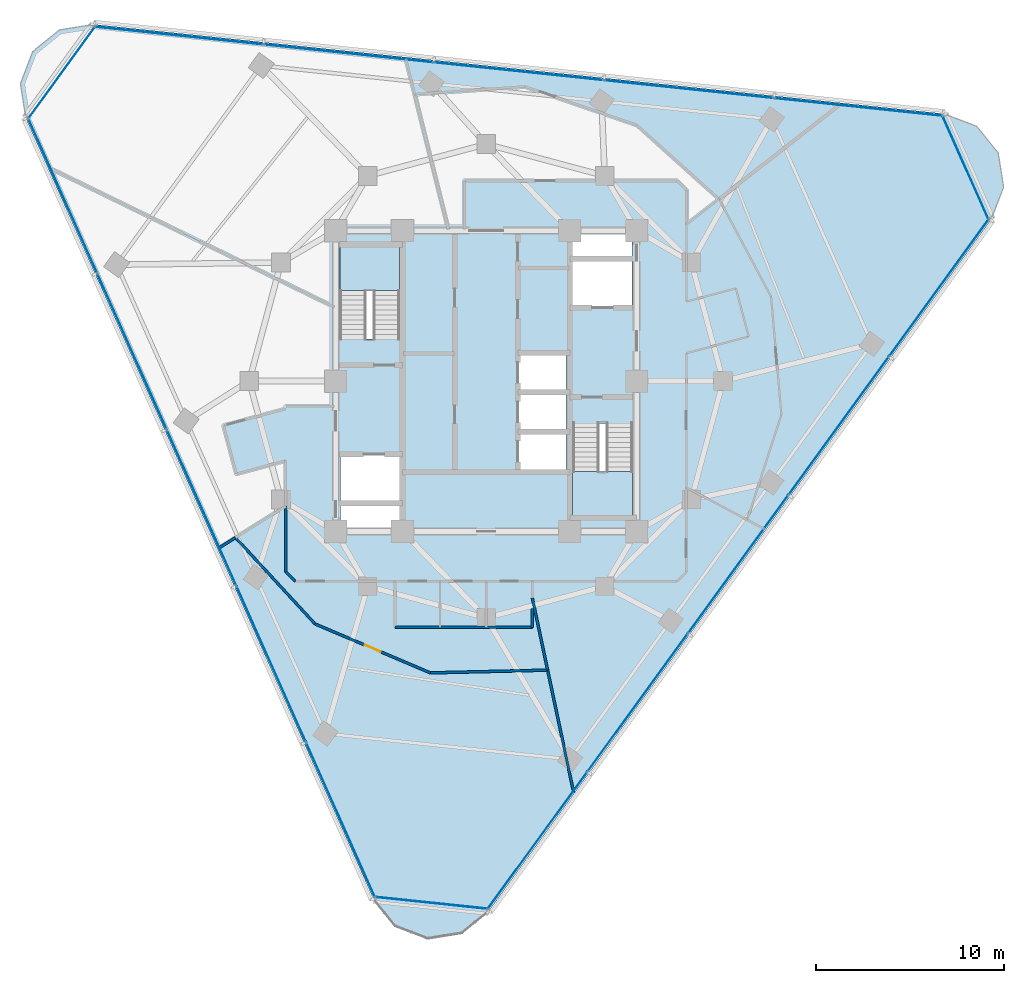
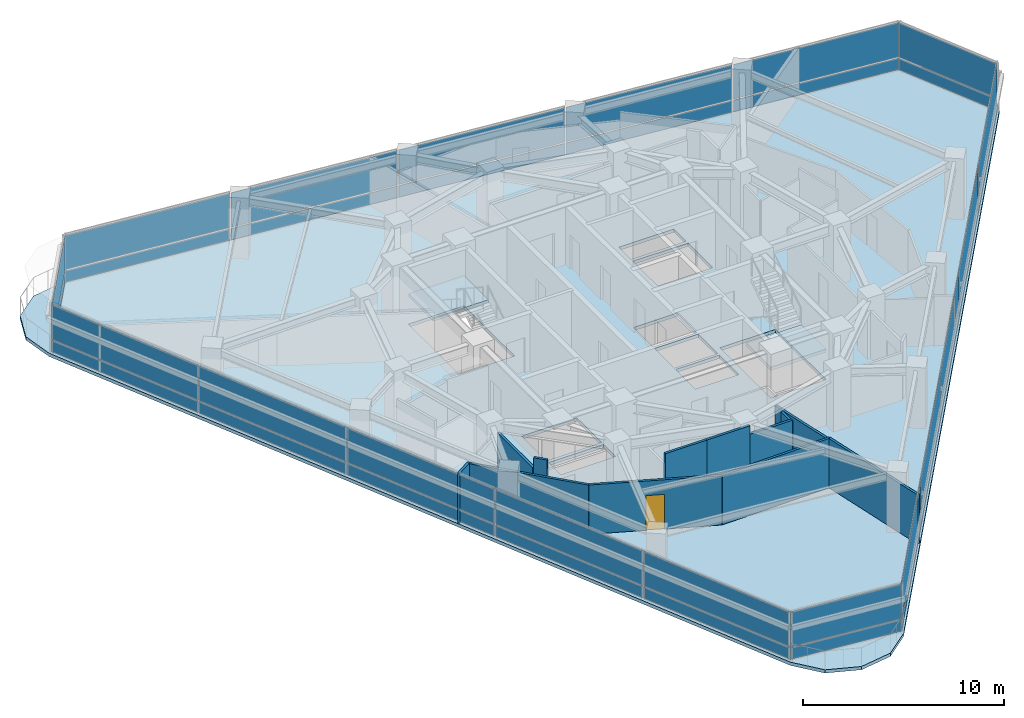
# One storey, part 7 of 14: 36 plates, 12 walls, 3 slabs, 1 door, 1 opening, 8 elements without a shape of their own.
"""IFC4 building model written with IfcOpenShell, lengths in metres."""

from ifc_helpers import new_model, si_unit, direction, frame, frame_2d, origin, origin_2d, place, context, subcontext, project, spatial, polyline, rectangle, outline, extrude, material, layer, layer_set, type_object, element, fill, aggregate, save


model = new_model("IFC4")

# Units and contexts
model_context = context("Model", 3, precision=1e-05, world=origin(), true_north=direction((0.0, 1.0)))
body_context = subcontext(model_context, "Body", "Model", "MODEL_VIEW")
ifc_project = project(units=[si_unit("LENGTHUNIT", "METRE"), si_unit("AREAUNIT", "SQUARE_METRE"), si_unit("VOLUMEUNIT", "CUBIC_METRE"), si_unit("PLANEANGLEUNIT", "RADIAN"), si_unit("MASSUNIT", "GRAM", prefix="KILO")], contexts=[model_context])

# Site, building, storey
site_placement = place(None, origin())
site = spatial("IfcSite", under=ifc_project, at=site_placement, CompositionType="ELEMENT")
building_placement = place(site_placement, origin())
building = spatial("IfcBuilding", under=site, at=building_placement, Name="Terralouvre Media Tower", CompositionType="ELEMENT")
storey_placement = place(building_placement, frame((0.0, 0.0, 218.89990234375)))
storey = spatial("IfcBuildingStorey", under=building, at=storey_placement, Name="L56", CompositionType="ELEMENT", Elevation=218.89990234375)

# Slab
ifc_material_1 = material(Name="Concrete C40/50", Category="concrete")
ifc_layer_1 = layer(ifc_material_1, 0.199951171875, Name="Composite Tower Floor Slab S-TYP200")
ifc_layer_set_1 = layer_set([ifc_layer_1], Name="Concrete C40/50")
slab_type_1 = type_object("IfcSlabType", Name="Composite Tower Floor Slab S-TYP200", PredefinedType="FLOOR", material=ifc_layer_set_1)
slab_1_placement = place(storey_placement, frame((0.0, 0.0, -0.199951171875), z_axis=(0.0, 0.0, 1.0), x_axis=(0.587785252292, 0.809016994375, 0.0)))
element("IfcSlab", 1, at=slab_1_placement, inside=storey, type_object=slab_type_1, Name="L56 Structural Floor Slab", PredefinedType="FLOOR", context=body_context, shape_type="SweptSolid", body=[
    extrude(outline(polyline([(-25.824462890625, -11.359619140625), (-26.300048828125, -13.134765625), (-25.824462890625, -14.90966796875), (-24.52490234375, -16.209228515625), (-22.75, -16.684814453125), (22.75, -16.684814453125), (24.52490234375, -16.209228515625), (25.824462890625, -14.90966796875), (26.300048828125, -13.134765625), (25.824462890625, -11.359619140625), (3.074462890625, 28.04443359375), (1.77490234375, 29.34375), (0.0, 29.8193359375), (-1.77490234375, 29.34375), (-3.074462890625, 28.04443359375), (-25.824462890625, -11.359619140625)]), holes=[polyline([(-8.043212890625, -0.157958984375), (-9.01416015625, -0.86328125), (-10.86572265625, 1.68505859375), (-9.894775390625, 2.390380859375), (-8.043212890625, -0.157958984375)]), polyline([(-5.8994140625, 1.399658203125), (-7.881591796875, -0.040283203125), (-9.733154296875, 2.508056640625), (-7.7509765625, 3.9482421875), (-5.8994140625, 1.399658203125)]), polyline([(-3.169677734375, -7.98876953125), (0.887451171875, -5.041015625), (2.7568359375, -7.61376953125), (-1.300537109375, -10.5615234375), (-3.169677734375, -7.98876953125)]), polyline([(0.2490234375, -5.072265625), (-1.320556640625, -6.212646484375), (-2.7900390625, -4.190185546875), (-1.220458984375, -3.0498046875), (0.2490234375, -5.072265625)]), polyline([(1.947998046875, -3.838134765625), (0.37841796875, -4.978271484375), (-1.091064453125, -2.955810546875), (0.478515625, -1.8154296875), (1.947998046875, -3.838134765625)]), polyline([(3.64697265625, -2.603759765625), (2.077392578125, -3.743896484375), (0.60791015625, -1.721435546875), (2.177490234375, -0.5810546875), (3.64697265625, -2.603759765625)]), polyline([(3.169677734375, 7.98876953125), (-0.887451171875, 5.041015625), (-2.7568359375, 7.61376953125), (1.300537109375, 10.5615234375), (3.169677734375, 7.98876953125)]), polyline([(7.7509765625, -3.9482421875), (5.8994140625, -1.399658203125), (7.881591796875, 0.040283203125), (9.733154296875, -2.508056640625), (7.7509765625, -3.9482421875)]), polyline([(9.894775390625, -2.390380859375), (8.043212890625, 0.157958984375), (9.01416015625, 0.86328125), (10.86572265625, -1.68505859375), (9.894775390625, -2.390380859375)])]), origin(), (0.0, 0.0, 1.0), 0.199951171875),
])

# Stair, slab
ifc_material_2 = material(Name="Concrete C45/55", Category="concrete")
stair_type_1 = type_object("IfcStairType", Name="Dogleg Stair Assembly ST-01", PredefinedType="HALF_TURN_STAIR", material=ifc_material_2)
stair_1_placement = place(storey_placement, origin())
stair_1 = element("IfcStair", 2, at=stair_1_placement, inside=storey, type_object=stair_type_1, Name="L56 Core Pressurised Exit Stair ST-01", PredefinedType="HALF_TURN_STAIR")
ifc_material_3 = material(Name="Concrete C45/55", Category="concrete")
ifc_layer_2 = layer(ifc_material_3, 0.199951171875, Name="Reinforced Concrete Stair Half-Landing SL-LD1")
ifc_layer_set_2 = layer_set([ifc_layer_2], Name="Concrete C45/55")
slab_type_2 = type_object("IfcSlabType", Name="Reinforced Concrete Stair Half-Landing SL-LD1", PredefinedType="LANDING", material=ifc_layer_set_2)
slab_2_placement = place(storey_placement, frame((0.0, 0.0, 1.650146484375)))
slab_2 = element("IfcSlab", 3, at=slab_2_placement, type_object=slab_type_2, Name="ST-01 landing 1", PredefinedType="LANDING", context=body_context, shape_type="SweptSolid", body=[
    extrude(outline(polyline([(-4.60009765625, 4.820068359375), (-4.60009765625, 7.260009765625), (-7.780029296875, 7.260009765625), (-7.780029296875, 4.820068359375), (-4.60009765625, 4.820068359375)])), origin(), (0.0, 0.0, 1.0), 0.199951171875),
])
aggregate(stair_1, [slab_2])

ifc_material_4 = material(Name="Concrete C45/55", Category="concrete")
stair_type_2 = type_object("IfcStairType", Name="Dogleg Stair Assembly ST-02", PredefinedType="HALF_TURN_STAIR", material=ifc_material_4)
stair_2_placement = place(storey_placement, origin())
stair_2 = element("IfcStair", 4, at=stair_2_placement, inside=storey, type_object=stair_type_2, Name="L56 Core Pressurised Exit Stair ST-02", PredefinedType="HALF_TURN_STAIR")
slab_3_placement = place(storey_placement, frame((0.0, 0.0, 1.650146484375)))
slab_3 = element("IfcSlab", 5, at=slab_3_placement, type_object=slab_type_2, Name="ST-02 landing 1", PredefinedType="LANDING", context=body_context, shape_type="SweptSolid", body=[
    extrude(outline(polyline([(4.60009765625, -4.820068359375), (4.60009765625, -7.260009765625), (7.780029296875, -7.260009765625), (7.780029296875, -4.820068359375), (4.60009765625, -4.820068359375)])), origin(), (0.0, 0.0, 1.0), 0.199951171875),
])
aggregate(stair_2, [slab_3])

# Curtain wall, plates
ifc_material_5 = material(Name="Low-iron laminated double glazing with solar-control coating", Category="glass")
ifc_layer_3 = layer(ifc_material_5, 0.1650390625, Name="Rounded Wind-Corner Curved Glazing CW-04")
ifc_layer_set_3 = layer_set([ifc_layer_3], Name="Low-iron laminated double glazing with solar-control coating")
curtain_wall_type_1 = type_object("IfcCurtainWallType", Name="Rounded Wind-Corner Curved Glazing CW-04", PredefinedType="NOTDEFINED", material=ifc_layer_set_3)
curtain_wall_1_placement = place(storey_placement, origin())
curtain_wall_1 = element("IfcCurtainWall", 6, at=curtain_wall_1_placement, inside=storey, type_object=curtain_wall_type_1, Name="L56 Rounded Wind-Corner Curtain Wall C0", PredefinedType="NOTDEFINED")
ifc_material_6 = material(Name="Low-iron laminated double glazing with solar-control coating", Category="glass")
ifc_layer_4 = layer(ifc_material_6, 0.0400390625, Name="Rounded Corner Laminated Vision Panel CWP-03")
ifc_layer_set_4 = layer_set([ifc_layer_4], Name="Low-iron laminated double glazing with solar-control coating")
plate_type_1 = type_object("IfcPlateType", Name="Rounded Corner Laminated Vision Panel CWP-03", PredefinedType="CURTAIN_PANEL", material=ifc_layer_set_4)
plate_1_placement = place(storey_placement, frame((-2.916748046875, -27.75146484375, 0.0751953125), z_axis=(0.0, 0.0, 1.0), x_axis=(0.994521944551, -0.104527995322, 0.0)))
plate_1 = element("IfcPlate", 7, at=plate_1_placement, type_object=plate_type_1, Name="CW-04 panel 1.1", PredefinedType="CURTAIN_PANEL", context=body_context, shape_type="SweptSolid", body=[
    extrude(rectangle(XDim=5.998779296875, YDim=0.035888671875, at=origin_2d()), origin(), (0.0, 0.0, 1.0), 0.6875),
])
plate_2_placement = place(storey_placement, frame((-2.916748046875, -27.75146484375, 0.837646484375), z_axis=(0.0, 0.0, 1.0), x_axis=(0.994521944551, -0.104527995322, 0.0)))
plate_2 = element("IfcPlate", 8, at=plate_2_placement, type_object=plate_type_1, Name="CW-04 panel 1.2", PredefinedType="CURTAIN_PANEL", context=body_context, shape_type="SweptSolid", body=[
    extrude(rectangle(XDim=5.998779296875, YDim=0.035888671875, at=origin_2d()), origin(), (0.0, 0.0, 1.0), 2.08740234375),
])
aggregate(curtain_wall_1, [plate_1, plate_2])

curtain_wall_2_placement = place(storey_placement, origin())
curtain_wall_2 = element("IfcCurtainWall", 9, at=curtain_wall_2_placement, inside=storey, type_object=curtain_wall_type_1, Name="L56 Rounded Wind-Corner Curtain Wall C1", PredefinedType="NOTDEFINED")
plate_3_placement = place(storey_placement, frame((25.491943359375, 11.349853515625, 0.0751953125), z_axis=(0.0, 0.0, 1.0), x_axis=(-0.406737441315, 0.913545102243, 0.0)))
plate_3 = element("IfcPlate", 10, at=plate_3_placement, type_object=plate_type_1, Name="CW-04 panel 1.1", PredefinedType="CURTAIN_PANEL", context=body_context, shape_type="SweptSolid", body=[
    extrude(rectangle(XDim=5.998779296875, YDim=0.035888671875, at=origin_2d()), origin(), (0.0, 0.0, 1.0), 0.6875),
])
plate_4_placement = place(storey_placement, frame((25.491943359375, 11.349853515625, 0.837646484375), z_axis=(0.0, 0.0, 1.0), x_axis=(-0.406737441315, 0.913545102243, 0.0)))
plate_4 = element("IfcPlate", 11, at=plate_4_placement, type_object=plate_type_1, Name="CW-04 panel 1.2", PredefinedType="CURTAIN_PANEL", context=body_context, shape_type="SweptSolid", body=[
    extrude(rectangle(XDim=5.998779296875, YDim=0.035888671875, at=origin_2d()), origin(), (0.0, 0.0, 1.0), 2.08740234375),
])
aggregate(curtain_wall_2, [plate_3, plate_4])

curtain_wall_3_placement = place(storey_placement, origin())
curtain_wall_3 = element("IfcCurtainWall", 12, at=curtain_wall_3_placement, inside=storey, type_object=curtain_wall_type_1, Name="L56 Rounded Wind-Corner Curtain Wall C2", PredefinedType="NOTDEFINED")
plate_5_placement = place(storey_placement, frame((-22.5751953125, 16.40185546875, 0.0751953125), z_axis=(0.0, 0.0, 1.0), x_axis=(-0.58778588998, -0.809016531067, 0.0)))
plate_5 = element("IfcPlate", 13, at=plate_5_placement, type_object=plate_type_1, Name="CW-04 panel 1.1", PredefinedType="CURTAIN_PANEL", context=body_context, shape_type="SweptSolid", body=[
    extrude(rectangle(XDim=5.998779296875, YDim=0.035888671875, at=origin_2d()), origin(), (0.0, 0.0, 1.0), 0.6875),
])
plate_6_placement = place(storey_placement, frame((-22.5751953125, 16.40185546875, 0.837646484375), z_axis=(0.0, 0.0, 1.0), x_axis=(-0.58778588998, -0.809016531067, 0.0)))
plate_6 = element("IfcPlate", 14, at=plate_6_placement, type_object=plate_type_1, Name="CW-04 panel 1.2", PredefinedType="CURTAIN_PANEL", context=body_context, shape_type="SweptSolid", body=[
    extrude(rectangle(XDim=5.998779296875, YDim=0.035888671875, at=origin_2d()), origin(), (0.0, 0.0, 1.0), 2.08740234375),
])
aggregate(curtain_wall_3, [plate_5, plate_6])

ifc_material_7 = material(Name="Low-iron laminated double glazing with solar-control coating", Category="glass")
ifc_layer_5 = layer(ifc_material_7, 0.1650390625, Name="Upper Executive Tower Curtain Wall CW-05")
ifc_layer_set_5 = layer_set([ifc_layer_5], Name="Low-iron laminated double glazing with solar-control coating")
curtain_wall_type_2 = type_object("IfcCurtainWallType", Name="Upper Executive Tower Curtain Wall CW-05", PredefinedType="NOTDEFINED", material=ifc_layer_set_5)
curtain_wall_4_placement = place(storey_placement, origin())
curtain_wall_4 = element("IfcCurtainWall", 15, at=curtain_wall_4_placement, inside=storey, type_object=curtain_wall_type_2, Name="L56 Facade Curtain Wall F0", PredefinedType="NOTDEFINED")
ifc_material_8 = material(Name="Low-iron laminated double glazing with solar-control coating", Category="glass")
ifc_layer_6 = layer(ifc_material_8, 0.035888671875, Name="Vision Double-Glazed Unit CWP-01")
ifc_layer_set_6 = layer_set([ifc_layer_6], Name="Low-iron laminated double glazing with solar-control coating")
plate_type_2 = type_object("IfcPlateType", Name="Vision Double-Glazed Unit CWP-01", PredefinedType="CURTAIN_PANEL", material=ifc_layer_set_6)
plate_7_placement = place(storey_placement, frame((2.71435546875, -24.4453125, 0.0751953125), z_axis=(0.0, 0.0, 1.0), x_axis=(0.587785300879, 0.809016959074, 0.0)))
plate_7 = element("IfcPlate", 16, at=plate_7_placement, type_object=plate_type_2, Name="CW-05 panel 1.1", PredefinedType="CURTAIN_PANEL", context=body_context, shape_type="SweptSolid", body=[
    extrude(rectangle(XDim=8.987548828125, YDim=0.035888671875, at=origin_2d()), origin(), (0.0, 0.0, 1.0), 0.6875),
])
plate_8_placement = place(storey_placement, frame((2.71435546875, -24.4453125, 0.837646484375), z_axis=(0.0, 0.0, 1.0), x_axis=(0.587785300879, 0.809016959074, 0.0)))
plate_8 = element("IfcPlate", 17, at=plate_8_placement, type_object=plate_type_2, Name="CW-05 panel 1.2", PredefinedType="CURTAIN_PANEL", context=body_context, shape_type="SweptSolid", body=[
    extrude(rectangle(XDim=8.987548828125, YDim=0.035888671875, at=origin_2d()), origin(), (0.0, 0.0, 1.0), 2.08740234375),
])
plate_9_placement = place(storey_placement, frame((8.05224609375, -17.0986328125, 0.0751953125), z_axis=(0.0, 0.0, 1.0), x_axis=(0.587785300879, 0.809016959074, 0.0)))
plate_9 = element("IfcPlate", 18, at=plate_9_placement, type_object=plate_type_2, Name="CW-05 panel 2.1", PredefinedType="CURTAIN_PANEL", context=body_context, shape_type="SweptSolid", body=[
    extrude(rectangle(XDim=9.02490234375, YDim=0.035888671875, at=origin_2d()), origin(), (0.0, 0.0, 1.0), 0.6875),
])
plate_10_placement = place(storey_placement, frame((8.05224609375, -17.0986328125, 0.837646484375), z_axis=(0.0, 0.0, 1.0), x_axis=(0.587785300879, 0.809016959074, 0.0)))
plate_10 = element("IfcPlate", 19, at=plate_10_placement, type_object=plate_type_2, Name="CW-05 panel 2.2", PredefinedType="CURTAIN_PANEL", context=body_context, shape_type="SweptSolid", body=[
    extrude(rectangle(XDim=9.02490234375, YDim=0.035888671875, at=origin_2d()), origin(), (0.0, 0.0, 1.0), 2.08740234375),
])
plate_11_placement = place(storey_placement, frame((13.401123046875, -9.736572265625, 0.0751953125), z_axis=(0.0, 0.0, 1.0), x_axis=(0.587785300879, 0.809016959074, 0.0)))
plate_11 = element("IfcPlate", 20, at=plate_11_placement, type_object=plate_type_2, Name="CW-05 panel 3.1", PredefinedType="CURTAIN_PANEL", context=body_context, shape_type="SweptSolid", body=[
    extrude(rectangle(XDim=9.02490234375, YDim=0.035888671875, at=origin_2d()), origin(), (0.0, 0.0, 1.0), 0.6875),
])
plate_12_placement = place(storey_placement, frame((13.401123046875, -9.736572265625, 0.837646484375), z_axis=(0.0, 0.0, 1.0), x_axis=(0.587785300879, 0.809016959074, 0.0)))
plate_12 = element("IfcPlate", 21, at=plate_12_placement, type_object=plate_type_2, Name="CW-05 panel 3.2", PredefinedType="CURTAIN_PANEL", context=body_context, shape_type="SweptSolid", body=[
    extrude(rectangle(XDim=9.02490234375, YDim=0.035888671875, at=origin_2d()), origin(), (0.0, 0.0, 1.0), 2.08740234375),
])
plate_13_placement = place(storey_placement, frame((18.75, -2.37451171875, 0.0751953125), z_axis=(0.0, 0.0, 1.0), x_axis=(0.587785300879, 0.809016959074, 0.0)))
plate_13 = element("IfcPlate", 22, at=plate_13_placement, type_object=plate_type_2, Name="CW-05 panel 4.1", PredefinedType="CURTAIN_PANEL", context=body_context, shape_type="SweptSolid", body=[
    extrude(rectangle(XDim=9.02490234375, YDim=0.035888671875, at=origin_2d()), origin(), (0.0, 0.0, 1.0), 0.6875),
])
plate_14_placement = place(storey_placement, frame((18.75, -2.37451171875, 0.837646484375), z_axis=(0.0, 0.0, 1.0), x_axis=(0.587785300879, 0.809016959074, 0.0)))
plate_14 = element("IfcPlate", 23, at=plate_14_placement, type_object=plate_type_2, Name="CW-05 panel 4.2", PredefinedType="CURTAIN_PANEL", context=body_context, shape_type="SweptSolid", body=[
    extrude(rectangle(XDim=9.02490234375, YDim=0.035888671875, at=origin_2d()), origin(), (0.0, 0.0, 1.0), 2.08740234375),
])
plate_15_placement = place(storey_placement, frame((24.087890625, 4.972412109375, 0.0751953125), z_axis=(0.0, 0.0, 1.0), x_axis=(0.587785300879, 0.809016959074, 0.0)))
plate_15 = element("IfcPlate", 24, at=plate_15_placement, type_object=plate_type_2, Name="CW-05 panel 5.1", PredefinedType="CURTAIN_PANEL", context=body_context, shape_type="SweptSolid", body=[
    extrude(rectangle(XDim=8.987548828125, YDim=0.035888671875, at=origin_2d()), origin(), (0.0, 0.0, 1.0), 0.6875),
])
plate_16_placement = place(storey_placement, frame((24.087890625, 4.972412109375, 0.837646484375), z_axis=(0.0, 0.0, 1.0), x_axis=(0.587785300879, 0.809016959074, 0.0)))
plate_16 = element("IfcPlate", 25, at=plate_16_placement, type_object=plate_type_2, Name="CW-05 panel 5.2", PredefinedType="CURTAIN_PANEL", context=body_context, shape_type="SweptSolid", body=[
    extrude(rectangle(XDim=8.987548828125, YDim=0.035888671875, at=origin_2d()), origin(), (0.0, 0.0, 1.0), 2.08740234375),
])
aggregate(curtain_wall_4, [plate_7, plate_8, plate_9, plate_10, plate_11, plate_12, plate_13, plate_14, plate_15, plate_16])

curtain_wall_5_placement = place(storey_placement, origin())
curtain_wall_5 = element("IfcCurtainWall", 26, at=curtain_wall_5_placement, inside=storey, type_object=curtain_wall_type_2, Name="L56 Facade Curtain Wall F1", PredefinedType="NOTDEFINED")
plate_17_placement = place(storey_placement, frame((19.813232421875, 14.573486328125, 0.0751953125), z_axis=(0.0, 0.0, 1.0), x_axis=(-0.994521885028, 0.104528561651, 0.0)))
plate_17 = element("IfcPlate", 27, at=plate_17_placement, type_object=plate_type_2, Name="CW-05 panel 1.1", PredefinedType="CURTAIN_PANEL", context=body_context, shape_type="SweptSolid", body=[
    extrude(rectangle(XDim=8.987548828125, YDim=0.035888671875, at=origin_2d()), origin(), (0.0, 0.0, 1.0), 0.6875),
])
plate_18_placement = place(storey_placement, frame((19.813232421875, 14.573486328125, 0.837646484375), z_axis=(0.0, 0.0, 1.0), x_axis=(-0.994521885028, 0.104528561651, 0.0)))
plate_18 = element("IfcPlate", 28, at=plate_18_placement, type_object=plate_type_2, Name="CW-05 panel 1.2", PredefinedType="CURTAIN_PANEL", context=body_context, shape_type="SweptSolid", body=[
    extrude(rectangle(XDim=8.987548828125, YDim=0.035888671875, at=origin_2d()), origin(), (0.0, 0.0, 1.0), 2.08740234375),
])
plate_19_placement = place(storey_placement, frame((10.78173828125, 15.522705078125, 0.0751953125), z_axis=(0.0, 0.0, 1.0), x_axis=(-0.994521885028, 0.104528561651, 0.0)))
plate_19 = element("IfcPlate", 29, at=plate_19_placement, type_object=plate_type_2, Name="CW-05 panel 2.1", PredefinedType="CURTAIN_PANEL", context=body_context, shape_type="SweptSolid", body=[
    extrude(rectangle(XDim=9.02490234375, YDim=0.035888671875, at=origin_2d()), origin(), (0.0, 0.0, 1.0), 0.6875),
])
plate_20_placement = place(storey_placement, frame((10.78173828125, 15.522705078125, 0.837646484375), z_axis=(0.0, 0.0, 1.0), x_axis=(-0.994521885028, 0.104528561651, 0.0)))
plate_20 = element("IfcPlate", 30, at=plate_20_placement, type_object=plate_type_2, Name="CW-05 panel 2.2", PredefinedType="CURTAIN_PANEL", context=body_context, shape_type="SweptSolid", body=[
    extrude(rectangle(XDim=9.02490234375, YDim=0.035888671875, at=origin_2d()), origin(), (0.0, 0.0, 1.0), 2.08740234375),
])
plate_21_placement = place(storey_placement, frame((1.7314453125, 16.473876953125, 0.0751953125), z_axis=(0.0, 0.0, 1.0), x_axis=(-0.994521885028, 0.104528561651, 0.0)))
plate_21 = element("IfcPlate", 31, at=plate_21_placement, type_object=plate_type_2, Name="CW-05 panel 3.1", PredefinedType="CURTAIN_PANEL", context=body_context, shape_type="SweptSolid", body=[
    extrude(rectangle(XDim=9.02490234375, YDim=0.035888671875, at=origin_2d()), origin(), (0.0, 0.0, 1.0), 0.6875),
])
plate_22_placement = place(storey_placement, frame((1.7314453125, 16.473876953125, 0.837646484375), z_axis=(0.0, 0.0, 1.0), x_axis=(-0.994521885028, 0.104528561651, 0.0)))
plate_22 = element("IfcPlate", 32, at=plate_22_placement, type_object=plate_type_2, Name="CW-05 panel 3.2", PredefinedType="CURTAIN_PANEL", context=body_context, shape_type="SweptSolid", body=[
    extrude(rectangle(XDim=9.02490234375, YDim=0.035888671875, at=origin_2d()), origin(), (0.0, 0.0, 1.0), 2.08740234375),
])
plate_23_placement = place(storey_placement, frame((-7.318603515625, 17.42529296875, 0.0751953125), z_axis=(0.0, 0.0, 1.0), x_axis=(-0.994521885028, 0.104528561651, 0.0)))
plate_23 = element("IfcPlate", 33, at=plate_23_placement, type_object=plate_type_2, Name="CW-05 panel 4.1", PredefinedType="CURTAIN_PANEL", context=body_context, shape_type="SweptSolid", body=[
    extrude(rectangle(XDim=9.02490234375, YDim=0.035888671875, at=origin_2d()), origin(), (0.0, 0.0, 1.0), 0.6875),
])
plate_24_placement = place(storey_placement, frame((-7.318603515625, 17.42529296875, 0.837646484375), z_axis=(0.0, 0.0, 1.0), x_axis=(-0.994521885028, 0.104528561651, 0.0)))
plate_24 = element("IfcPlate", 34, at=plate_24_placement, type_object=plate_type_2, Name="CW-05 panel 4.2", PredefinedType="CURTAIN_PANEL", context=body_context, shape_type="SweptSolid", body=[
    extrude(rectangle(XDim=9.02490234375, YDim=0.035888671875, at=origin_2d()), origin(), (0.0, 0.0, 1.0), 2.08740234375),
])
plate_25_placement = place(storey_placement, frame((-16.35009765625, 18.37451171875, 0.0751953125), z_axis=(0.0, 0.0, 1.0), x_axis=(-0.994521885028, 0.104528561651, 0.0)))
plate_25 = element("IfcPlate", 35, at=plate_25_placement, type_object=plate_type_2, Name="CW-05 panel 5.1", PredefinedType="CURTAIN_PANEL", context=body_context, shape_type="SweptSolid", body=[
    extrude(rectangle(XDim=8.987548828125, YDim=0.035888671875, at=origin_2d()), origin(), (0.0, 0.0, 1.0), 0.6875),
])
plate_26_placement = place(storey_placement, frame((-16.35009765625, 18.37451171875, 0.837646484375), z_axis=(0.0, 0.0, 1.0), x_axis=(-0.994521885028, 0.104528561651, 0.0)))
plate_26 = element("IfcPlate", 36, at=plate_26_placement, type_object=plate_type_2, Name="CW-05 panel 5.2", PredefinedType="CURTAIN_PANEL", context=body_context, shape_type="SweptSolid", body=[
    extrude(rectangle(XDim=8.987548828125, YDim=0.035888671875, at=origin_2d()), origin(), (0.0, 0.0, 1.0), 2.08740234375),
])
aggregate(curtain_wall_5, [plate_17, plate_18, plate_19, plate_20, plate_21, plate_22, plate_23, plate_24, plate_25, plate_26])

curtain_wall_6_placement = place(storey_placement, origin())
curtain_wall_6 = element("IfcCurtainWall", 37, at=curtain_wall_6_placement, inside=storey, type_object=curtain_wall_type_2, Name="L56 Facade Curtain Wall F2", PredefinedType="NOTDEFINED")
plate_27_placement = place(storey_placement, frame((-22.527587890625, 9.871826171875, 0.0751953125), z_axis=(0.0, 0.0, 1.0), x_axis=(0.406736679636, -0.913545441365, 0.0)))
plate_27 = element("IfcPlate", 38, at=plate_27_placement, type_object=plate_type_2, Name="CW-05 panel 1.1", PredefinedType="CURTAIN_PANEL", context=body_context, shape_type="SweptSolid", body=[
    extrude(rectangle(XDim=8.987548828125, YDim=0.035888671875, at=origin_2d()), origin(), (0.0, 0.0, 1.0), 0.6875),
])
plate_28_placement = place(storey_placement, frame((-22.527587890625, 9.871826171875, 0.837646484375), z_axis=(0.0, 0.0, 1.0), x_axis=(0.406736679636, -0.913545441365, 0.0)))
plate_28 = element("IfcPlate", 39, at=plate_28_placement, type_object=plate_type_2, Name="CW-05 panel 1.2", PredefinedType="CURTAIN_PANEL", context=body_context, shape_type="SweptSolid", body=[
    extrude(rectangle(XDim=8.987548828125, YDim=0.035888671875, at=origin_2d()), origin(), (0.0, 0.0, 1.0), 2.08740234375),
])
plate_29_placement = place(storey_placement, frame((-18.833984375, 1.57568359375, 0.0751953125), z_axis=(0.0, 0.0, 1.0), x_axis=(0.406736679636, -0.913545441365, 0.0)))
plate_29 = element("IfcPlate", 40, at=plate_29_placement, type_object=plate_type_2, Name="CW-05 panel 2.1", PredefinedType="CURTAIN_PANEL", context=body_context, shape_type="SweptSolid", body=[
    extrude(rectangle(XDim=9.02490234375, YDim=0.035888671875, at=origin_2d()), origin(), (0.0, 0.0, 1.0), 0.6875),
])
plate_30_placement = place(storey_placement, frame((-18.833984375, 1.57568359375, 0.837646484375), z_axis=(0.0, 0.0, 1.0), x_axis=(0.406736679636, -0.913545441365, 0.0)))
plate_30 = element("IfcPlate", 41, at=plate_30_placement, type_object=plate_type_2, Name="CW-05 panel 2.2", PredefinedType="CURTAIN_PANEL", context=body_context, shape_type="SweptSolid", body=[
    extrude(rectangle(XDim=9.02490234375, YDim=0.035888671875, at=origin_2d()), origin(), (0.0, 0.0, 1.0), 2.08740234375),
])
plate_31_placement = place(storey_placement, frame((-15.132568359375, -6.737548828125, 0.0751953125), z_axis=(0.0, 0.0, 1.0), x_axis=(0.406736679636, -0.913545441365, 0.0)))
plate_31 = element("IfcPlate", 42, at=plate_31_placement, type_object=plate_type_2, Name="CW-05 panel 3.1", PredefinedType="CURTAIN_PANEL", context=body_context, shape_type="SweptSolid", body=[
    extrude(rectangle(XDim=9.02490234375, YDim=0.035888671875, at=origin_2d()), origin(), (0.0, 0.0, 1.0), 0.6875),
])
plate_32_placement = place(storey_placement, frame((-15.132568359375, -6.737548828125, 0.837646484375), z_axis=(0.0, 0.0, 1.0), x_axis=(0.406736679636, -0.913545441365, 0.0)))
plate_32 = element("IfcPlate", 43, at=plate_32_placement, type_object=plate_type_2, Name="CW-05 panel 3.2", PredefinedType="CURTAIN_PANEL", context=body_context, shape_type="SweptSolid", body=[
    extrude(rectangle(XDim=9.02490234375, YDim=0.035888671875, at=origin_2d()), origin(), (0.0, 0.0, 1.0), 2.08740234375),
])
plate_33_placement = place(storey_placement, frame((-11.431396484375, -15.05078125, 0.0751953125), z_axis=(0.0, 0.0, 1.0), x_axis=(0.406736679636, -0.913545441365, 0.0)))
plate_33 = element("IfcPlate", 44, at=plate_33_placement, type_object=plate_type_2, Name="CW-05 panel 4.1", PredefinedType="CURTAIN_PANEL", context=body_context, shape_type="SweptSolid", body=[
    extrude(rectangle(XDim=9.02490234375, YDim=0.035888671875, at=origin_2d()), origin(), (0.0, 0.0, 1.0), 0.6875),
])
plate_34_placement = place(storey_placement, frame((-11.431396484375, -15.05078125, 0.837646484375), z_axis=(0.0, 0.0, 1.0), x_axis=(0.406736679636, -0.913545441365, 0.0)))
plate_34 = element("IfcPlate", 45, at=plate_34_placement, type_object=plate_type_2, Name="CW-05 panel 4.2", PredefinedType="CURTAIN_PANEL", context=body_context, shape_type="SweptSolid", body=[
    extrude(rectangle(XDim=9.02490234375, YDim=0.035888671875, at=origin_2d()), origin(), (0.0, 0.0, 1.0), 2.08740234375),
])
plate_35_placement = place(storey_placement, frame((-7.737548828125, -23.346923828125, 0.0751953125), z_axis=(0.0, 0.0, 1.0), x_axis=(0.406736679636, -0.913545441365, 0.0)))
plate_35 = element("IfcPlate", 46, at=plate_35_placement, type_object=plate_type_2, Name="CW-05 panel 5.1", PredefinedType="CURTAIN_PANEL", context=body_context, shape_type="SweptSolid", body=[
    extrude(rectangle(XDim=8.987548828125, YDim=0.035888671875, at=origin_2d()), origin(), (0.0, 0.0, 1.0), 0.6875),
])
plate_36_placement = place(storey_placement, frame((-7.737548828125, -23.346923828125, 0.837646484375), z_axis=(0.0, 0.0, 1.0), x_axis=(0.406736679636, -0.913545441365, 0.0)))
plate_36 = element("IfcPlate", 47, at=plate_36_placement, type_object=plate_type_2, Name="CW-05 panel 5.2", PredefinedType="CURTAIN_PANEL", context=body_context, shape_type="SweptSolid", body=[
    extrude(rectangle(XDim=8.987548828125, YDim=0.035888671875, at=origin_2d()), origin(), (0.0, 0.0, 1.0), 2.08740234375),
])
aggregate(curtain_wall_6, [plate_27, plate_28, plate_29, plate_30, plate_31, plate_32, plate_33, plate_34, plate_35, plate_36])

# Walls
ifc_material_9 = material(Name="Fire-rated gypsum board drywall partition")
ifc_layer_7 = layer(ifc_material_9, 0.135009765625, Name="Newsroom Acoustic Partition PT-135")
ifc_layer_set_7 = layer_set([ifc_layer_7], Name="Fire-rated gypsum board drywall partition")
wall_type = type_object("IfcWallType", Name="Newsroom Acoustic Partition PT-135", PredefinedType="PARTITIONING", material=ifc_layer_set_7)
wall_1_placement = place(storey_placement, frame((-10.64990234375, -6.655029296875, 0.0), z_axis=(0.0, 0.0, 1.0), x_axis=(0.0, -1.0, 0.0)))
element("IfcWall", 48, at=wall_1_placement, inside=storey, type_object=wall_type, Name="L56 Interior Partition 011", PredefinedType="PARTITIONING", context=body_context, shape_type="SweptSolid", body=[
    extrude(rectangle(XDim=3.494873046875, YDim=0.135009765625, at=frame_2d((1.74755859375, 0.0))), origin(), (0.0, 0.0, 1.0), 2.885009765625),
])
wall_2_placement = place(storey_placement, frame((-10.64990234375, -10.14990234375, 0.0), z_axis=(0.0, 0.0, 1.0), x_axis=(0.707106781187, -0.707106781187, 0.0)))
element("IfcWall", 49, at=wall_2_placement, inside=storey, type_object=wall_type, Name="L56 Interior Partition 012", PredefinedType="PARTITIONING", context=body_context, shape_type="SweptSolid", body=[
    extrude(rectangle(XDim=0.70703125, YDim=0.135009765625, at=frame_2d((0.353515625, 0.0))), origin(), (0.0, 0.0, 1.0), 3.5),
])
wall_3_placement = place(storey_placement, frame((-14.22021484375, -8.88525390625, 0.0), z_axis=(0.0, 0.0, 1.0), x_axis=(0.848337621773, 0.529455644493, 0.0)))
element("IfcWall", 50, at=wall_3_placement, inside=storey, type_object=wall_type, Name="L56 Interior Partition 025", PredefinedType="PARTITIONING", context=body_context, shape_type="SweptSolid", body=[
    extrude(rectangle(XDim=1.050537109375, YDim=0.135009765625, at=frame_2d((0.525390625, 0.0))), origin(), (0.0, 0.0, 1.0), 3.03515625),
])
wall_4_placement = place(storey_placement, frame((-2.449951171875, -13.10009765625, 0.0), z_axis=(0.0, 0.0, 1.0), x_axis=(-1.0, 0.0, 0.0)))
element("IfcWall", 51, at=wall_4_placement, inside=storey, type_object=wall_type, Name="L56 Interior Partition 032", PredefinedType="PARTITIONING", context=body_context, shape_type="SweptSolid", body=[
    extrude(rectangle(XDim=2.400146484375, YDim=0.135009765625, at=frame_2d((1.2001953125, 0.0))), origin(), (0.0, 0.0, 1.0), 3.5),
])
wall_5_placement = place(storey_placement, frame((-13.3291015625, -8.3291015625, 0.0), z_axis=(0.0, 0.0, 1.0), x_axis=(0.677841155448, -0.735208384052, 0.0)))
element("IfcWall", 52, at=wall_5_placement, inside=storey, type_object=wall_type, Name="L56 Interior Partition 034", PredefinedType="PARTITIONING", context=body_context, shape_type="SweptSolid", body=[
    extrude(rectangle(XDim=6.239013671875, YDim=0.135009765625, at=frame_2d((3.11962890625, 0.0))), origin(), (0.0, 0.0, 1.0), 2.985107421875),
])

# Wall, opening, door
wall_6_placement = place(storey_placement, frame((-9.10009765625, -12.916015625, 0.0), z_axis=(0.0, 0.0, 1.0), x_axis=(0.920506675175, -0.390726836752, 0.0)))
wall_6 = element("IfcWall", 53, at=wall_6_placement, inside=storey, type_object=wall_type, Name="L56 Interior Partition 035", PredefinedType="PARTITIONING", context=body_context, shape_type="SweptSolid", body=[
    extrude(rectangle(XDim=6.659423828125, YDim=0.135009765625, at=frame_2d((3.32958984375, 0.0))), origin(), (0.0, 0.0, 1.0), 2.985107421875),
])
opening_placement = place(wall_6_placement, frame((2.86962890625, 0.0, 0.0)))
opening = element("IfcOpeningElement", 54, at=opening_placement, cuts=wall_6, Name="Opening ID-03-92X210", PredefinedType="OPENING", context=body_context, shape_type="SweptSolid", body=[
    extrude(rectangle(XDim=0.919921875, YDim=2.10009765625, at=frame_2d((0.4599609375, 1.050048828125))), frame((0.0, 0.077392578125, 0.0), z_axis=(0.0, -1.0, 0.0), x_axis=(1.0, 0.0, 0.0)), (0.0, 0.0, 1.0), 0.155029296875),
])
ifc_material_10 = material(Name="Engineered hardwood acoustic timber leaf", Category="wood")
door_type = type_object("IfcDoorType", Name="Accessible Restroom and Suite Door ID-03 (920x2100)", OperationType="NOTDEFINED", PredefinedType="DOOR", material=ifc_material_10)
door_placement = place(opening_placement, origin())
door = element("IfcDoor", 55, at=door_placement, inside=storey, type_object=door_type, Name="L56 Deeds and Contracts Vault Store 4 Door", OperationType="SINGLE_SWING_RIGHT", OverallHeight=2.10009765625, OverallWidth=0.919921875, PredefinedType="DOOR", context=body_context, shape_type="SweptSolid", body=[
    extrude(rectangle(XDim=0.919921875, YDim=2.10009765625, at=frame_2d((0.4599609375, 1.050048828125))), frame((0.0, 0.02490234375, 0.0), z_axis=(0.0, -1.0, 0.0), x_axis=(1.0, 0.0, 0.0)), (0.0, 0.0, 1.0), 0.050048828125),
])
fill(opening, door)

# Walls
wall_7_placement = place(storey_placement, frame((-2.969970703125, -15.51806640625, 0.0), z_axis=(0.0, 0.0, 1.0), x_axis=(0.99972988351, 0.023241342836, 0.0)))
element("IfcWall", 56, at=wall_7_placement, inside=storey, type_object=wall_type, Name="L56 Interior Partition 036", PredefinedType="PARTITIONING", context=body_context, shape_type="SweptSolid", body=[
    extrude(rectangle(XDim=6.23974609375, YDim=0.135009765625, at=frame_2d((3.119873046875, 0.0))), origin(), (0.0, 0.0, 1.0), 2.985107421875),
])
wall_8_placement = place(storey_placement, frame((0.0, -13.10009765625, 0.0), z_axis=(0.0, 0.0, 1.0), x_axis=(-1.0, 0.0, 0.0)))
element("IfcWall", 57, at=wall_8_placement, inside=storey, type_object=wall_type, Name="L56 Interior Partition 037", PredefinedType="PARTITIONING", context=body_context, shape_type="SweptSolid", body=[
    extrude(rectangle(XDim=2.449951171875, YDim=0.135009765625, at=frame_2d((1.22509765625, 0.0))), origin(), (0.0, 0.0, 1.0), 3.5),
])
wall_9_placement = place(storey_placement, frame((2.449951171875, -12.10302734375, 0.0), z_axis=(0.0, 0.0, 1.0), x_axis=(0.0, -1.0, 0.0)))
element("IfcWall", 58, at=wall_9_placement, inside=storey, type_object=wall_type, Name="L56 Interior Partition 038", PredefinedType="PARTITIONING", context=body_context, shape_type="SweptSolid", body=[
    extrude(rectangle(XDim=0.9970703125, YDim=0.135009765625, at=frame_2d((0.49853515625, 0.0))), origin(), (0.0, 0.0, 1.0), 2.885009765625),
])
wall_10_placement = place(storey_placement, frame((2.449951171875, -13.10009765625, 0.0), z_axis=(0.0, 0.0, 1.0), x_axis=(-1.0, 0.0, 0.0)))
element("IfcWall", 59, at=wall_10_placement, inside=storey, type_object=wall_type, Name="L56 Interior Partition 039", PredefinedType="PARTITIONING", context=body_context, shape_type="SweptSolid", body=[
    extrude(rectangle(XDim=2.449951171875, YDim=0.135009765625, at=frame_2d((1.22509765625, 0.0))), origin(), (0.0, 0.0, 1.0), 2.985107421875),
])
wall_11_placement = place(storey_placement, frame((3.26806640625, -15.373046875, 0.0), z_axis=(0.0, 0.0, 1.0), x_axis=(-0.208002774368, 0.978128235895, 0.0)))
element("IfcWall", 60, at=wall_11_placement, inside=storey, type_object=wall_type, Name="L56 Interior Partition 040", PredefinedType="PARTITIONING", context=body_context, shape_type="SweptSolid", body=[
    extrude(rectangle(XDim=3.93310546875, YDim=0.135009765625, at=frame_2d((1.966552734375, 0.0))), origin(), (0.0, 0.0, 1.0), 2.885009765625),
])
wall_12_placement = place(storey_placement, frame((4.645263671875, -21.85595703125, 0.0), z_axis=(0.0, 0.0, 1.0), x_axis=(-0.207797956892, 0.978171768715, 0.0)))
element("IfcWall", 61, at=wall_12_placement, inside=storey, type_object=wall_type, Name="L56 Interior Partition 042", PredefinedType="PARTITIONING", context=body_context, shape_type="SweptSolid", body=[
    extrude(rectangle(XDim=6.627685546875, YDim=0.135009765625, at=frame_2d((3.31396484375, 0.0))), origin(), (0.0, 0.0, 1.0), 2.985107421875),
])

save(model, "model.ifc")
